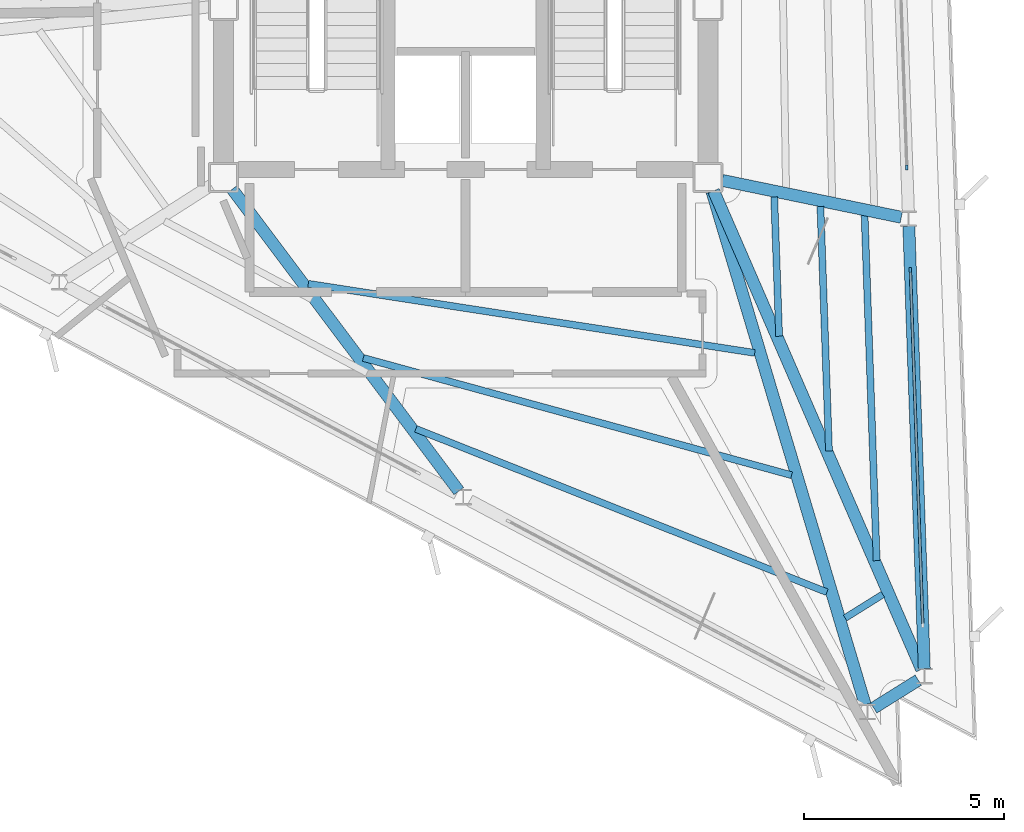
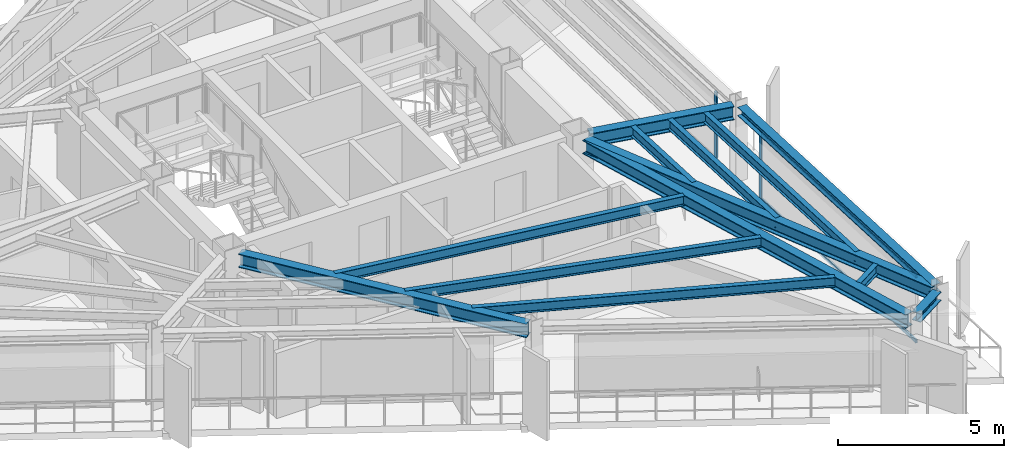
# One storey, part 3 of 13: 13 beams, 4 members, 2 elements without a shape of their own.
"""IFC4 building model written with IfcOpenShell, lengths in metres."""

from ifc_helpers import new_model, si_unit, direction, frame, origin, origin_2d, place, context, subcontext, project, spatial, rectangle, i_section, extrude, material, layer, layer_set, material_profile, profile_set, type_object, element, aggregate, save


model = new_model("IFC4")

# Units and contexts
model_context = context("Model", 3, precision=1e-05, world=origin(), true_north=direction((0.0, 1.0)))
body_context = subcontext(model_context, "Body", "Model", "MODEL_VIEW")
ifc_project = project(units=[si_unit("LENGTHUNIT", "METRE"), si_unit("AREAUNIT", "SQUARE_METRE"), si_unit("VOLUMEUNIT", "CUBIC_METRE"), si_unit("PLANEANGLEUNIT", "RADIAN"), si_unit("MASSUNIT", "GRAM", prefix="KILO")], contexts=[model_context])

# Site, building, storey
site_placement = place(None, origin())
site = spatial("IfcSite", under=ifc_project, at=site_placement, CompositionType="ELEMENT")
building_placement = place(site_placement, origin())
building = spatial("IfcBuilding", under=site, at=building_placement, Name="Rocaltana Carrier Exchange", CompositionType="ELEMENT")
storey_placement = place(building_placement, frame((0.0, 0.0, 196.639892578125)))
storey = spatial("IfcBuildingStorey", under=building, at=storey_placement, Name="L62", CompositionType="ELEMENT", Elevation=196.639892578125)

# Curtain wall, member
ifc_material_1 = material(Name="Aluminium 6063-T6", Category="aluminium")
ifc_layer = layer(ifc_material_1, 0.1201171875)
ifc_layer_set = layer_set([ifc_layer], Name="Aluminium 6063-T6")
curtain_wall_type = type_object("IfcCurtainWallType", Name="High-Altitude Thermal Curtain Wall CW-05", PredefinedType="NOTDEFINED", material=ifc_layer_set)
curtain_wall_1_placement = place(storey_placement, origin())
curtain_wall_1 = element("IfcCurtainWall", 1, at=curtain_wall_1_placement, inside=storey, type_object=curtain_wall_type, Name="L62 CW-05 Run CW-L62-F1S1", PredefinedType="NOTDEFINED")
ifc_material_2 = material(Name="Aluminium 6063-T6", Category="aluminium")
ifc_material_profile_1 = material_profile(ifc_material_2, rectangle(XDim=0.06005859375, YDim=0.1201171875, at=origin_2d()), Name="AL-60X120")
ifc_profile_set_1 = profile_set([ifc_material_profile_1], Name="Aluminium 6063-T6")
member_type_1 = type_object("IfcMemberType", Name="CW-05 Mullion AL-60X120", PredefinedType="MULLION", material=ifc_profile_set_1)
member_1_placement = place(storey_placement, frame((11.11181640625, -6.61279296875, 0.0), z_axis=(0.0, 0.0, 1.0), x_axis=(-0.999390315991, -0.034914127567, 0.0)))
member_1 = element("IfcMember", 2, at=member_1_placement, type_object=member_type_1, Name="CW-05 mullion 2", PredefinedType="MULLION", context=body_context, shape_type="SweptSolid", body=[
    extrude(rectangle(XDim=0.06005859375, YDim=0.1201171875, at=origin_2d()), origin(), (0.0, 0.0, 1.0), 2.447998046875),
])

curtain_wall_2_placement = place(storey_placement, origin())
curtain_wall_2 = element("IfcCurtainWall", 3, at=curtain_wall_2_placement, inside=storey, type_object=curtain_wall_type, Name="L62 CW-05 Run CW-L62-F1S2", PredefinedType="NOTDEFINED")
member_2_placement = place(storey_placement, frame((11.0224609375, -4.054443359375, 0.0), z_axis=(0.0, 0.0, 1.0), x_axis=(-0.999390720156, -0.034902556738, 0.0)))
member_2 = element("IfcMember", 4, at=member_2_placement, type_object=member_type_1, Name="CW-05 mullion 1", PredefinedType="MULLION", context=body_context, shape_type="SweptSolid", body=[
    extrude(rectangle(XDim=0.06005859375, YDim=0.1201171875, at=origin_2d()), origin(), (0.0, 0.0, 1.0), 2.447998046875),
])
aggregate(curtain_wall_2, [member_2])

# Member
ifc_material_3 = material(Name="Aluminium 6063-T6", Category="aluminium")
ifc_material_profile_2 = material_profile(ifc_material_3, rectangle(XDim=0.06005859375, YDim=0.1201171875, at=origin_2d()), Name="AL-60X120")
ifc_profile_set_2 = profile_set([ifc_material_profile_2], Name="Aluminium 6063-T6")
member_type_2 = type_object("IfcMemberType", Name="CW-05 Transom AL-60X120", PredefinedType="USERDEFINED", material=ifc_profile_set_2)
member_3_placement = place(storey_placement, frame((11.420654296875, -15.450927734375, 0.030029296875), z_axis=(-0.034930718371, 0.999389736246, 0.0), x_axis=(-0.999389736246, -0.034930718371, 0.0)))
member_3 = element("IfcMember", 5, at=member_3_placement, type_object=member_type_2, Name="CW-05 transom 1.1", ObjectType="TRANSOM", PredefinedType="USERDEFINED", context=body_context, shape_type="SweptSolid", body=[
    extrude(rectangle(XDim=0.06005859375, YDim=0.1201171875, at=origin_2d()), origin(), (0.0, 0.0, 1.0), 8.8134765625),
])

member_4_placement = place(storey_placement, frame((11.420654296875, -15.450927734375, 2.418212890625), z_axis=(-0.034930718371, 0.999389736246, 0.0), x_axis=(-0.999389736246, -0.034930718371, 0.0)))
member_4 = element("IfcMember", 6, at=member_4_placement, type_object=member_type_2, Name="CW-05 transom 1.2", ObjectType="TRANSOM", PredefinedType="USERDEFINED", context=body_context, shape_type="SweptSolid", body=[
    extrude(rectangle(XDim=0.06005859375, YDim=0.1201171875, at=origin_2d()), origin(), (0.0, 0.0, 1.0), 8.8134765625),
])

aggregate(curtain_wall_1, [member_1, member_3, member_4])

# Beams
ifc_material_4 = material(Name="Steel S355", Category="steel")
ifc_material_profile_3 = material_profile(ifc_material_4, i_section(OverallWidth=0.172119140625, OverallDepth=0.35791015625, WebThickness=0.0078125, FlangeThickness=0.01318359375, FilletRadius=0.011962890625, at=origin_2d()), Name="W14X38")
ifc_profile_set_3 = profile_set([ifc_material_profile_3], Name="Steel S355")
beam_type_1 = type_object("IfcBeamType", Name="Floor Joist W14X38", PredefinedType="JOIST", material=ifc_profile_set_3)
beam_1_placement = place(storey_placement, frame((7.83251953125, -8.267822265625, 2.619140625), z_axis=(-0.034956892031, 0.99938882108, 0.0), x_axis=(-0.99938882108, -0.034956892031, 0.0)))
element("IfcBeam", 7, at=beam_1_placement, inside=storey, type_object=beam_type_1, Name="FJ-L62-01-1", PredefinedType="JOIST", context=body_context, shape_type="SweptSolid", body=[
    extrude(i_section(OverallWidth=0.172119140625, OverallDepth=0.35791015625, WebThickness=0.0078125, FlangeThickness=0.01318359375, FilletRadius=0.011962890625, at=origin_2d()), origin(), (0.0, 0.0, 1.0), 3.485107421875),
])
beam_2_placement = place(storey_placement, frame((9.078125, -11.1337890625, 2.619140625), z_axis=(-0.034895437924, 0.999390968747, 0.0), x_axis=(-0.999390968747, -0.034895437924, 0.0)))
element("IfcBeam", 8, at=beam_2_placement, inside=storey, type_object=beam_type_1, Name="FJ-L62-01-2", PredefinedType="JOIST", context=body_context, shape_type="SweptSolid", body=[
    extrude(i_section(OverallWidth=0.172119140625, OverallDepth=0.35791015625, WebThickness=0.0078125, FlangeThickness=0.01318359375, FilletRadius=0.011962890625, at=origin_2d()), origin(), (0.0, 0.0, 1.0), 6.11474609375),
])
beam_3_placement = place(storey_placement, frame((10.269775390625, -13.875, 2.619140625), z_axis=(-0.034909498386, 0.999390477703, 0.0), x_axis=(-0.999390477703, -0.034909498386, 0.0)))
element("IfcBeam", 9, at=beam_3_placement, inside=storey, type_object=beam_type_1, Name="FJ-L62-01-3", PredefinedType="JOIST", context=body_context, shape_type="SweptSolid", body=[
    extrude(i_section(OverallWidth=0.172119140625, OverallDepth=0.35791015625, WebThickness=0.0078125, FlangeThickness=0.01318359375, FilletRadius=0.011962890625, at=origin_2d()), origin(), (0.0, 0.0, 1.0), 8.630126953125),
])
beam_4_placement = place(storey_placement, frame((-3.93017578125, -6.957275390625, 2.619140625), z_axis=(0.98822318651, -0.153019389764, 0.0), x_axis=(0.153019389764, 0.98822318651, 0.0)))
element("IfcBeam", 10, at=beam_4_placement, inside=storey, type_object=beam_type_1, Name="FJ-L62-11-1", PredefinedType="JOIST", context=body_context, shape_type="SweptSolid", body=[
    extrude(i_section(OverallWidth=0.172119140625, OverallDepth=0.35791015625, WebThickness=0.0078125, FlangeThickness=0.01318359375, FilletRadius=0.011962890625, at=origin_2d()), origin(), (0.0, 0.0, 1.0), 11.286376953125),
])
beam_5_placement = place(storey_placement, frame((-2.555419921875, -8.809814453125, 2.619140625), z_axis=(0.96449669157, -0.264094929808, 0.0), x_axis=(0.264094929808, 0.96449669157, 0.0)))
element("IfcBeam", 11, at=beam_5_placement, inside=storey, type_object=beam_type_1, Name="FJ-L62-11-2", PredefinedType="JOIST", context=body_context, shape_type="SweptSolid", body=[
    extrude(i_section(OverallWidth=0.172119140625, OverallDepth=0.35791015625, WebThickness=0.0078125, FlangeThickness=0.01318359375, FilletRadius=0.011962890625, at=origin_2d()), origin(), (0.0, 0.0, 1.0), 11.09326171875),
])
beam_6_placement = place(storey_placement, frame((-1.2421875, -10.581787109375, 2.619140625), z_axis=(0.929319992712, -0.369275440756, 0.0), x_axis=(0.369275440756, 0.929319992712, 0.0)))
element("IfcBeam", 12, at=beam_6_placement, inside=storey, type_object=beam_type_1, Name="FJ-L62-11-3", PredefinedType="JOIST", context=body_context, shape_type="SweptSolid", body=[
    extrude(i_section(OverallWidth=0.172119140625, OverallDepth=0.35791015625, WebThickness=0.0078125, FlangeThickness=0.01318359375, FilletRadius=0.011962890625, at=origin_2d()), origin(), (0.0, 0.0, 1.0), 11.049560546875),
])
beam_7_placement = place(storey_placement, frame((9.481689453125, -15.306640625, 2.619140625), z_axis=(0.847961248571, 0.530058224087, 0.0), x_axis=(-0.530058224087, 0.847961248571, 0.0)))
element("IfcBeam", 13, at=beam_7_placement, inside=storey, type_object=beam_type_1, Name="FJ-L62-12-3", PredefinedType="JOIST", context=body_context, shape_type="SweptSolid", body=[
    extrude(i_section(OverallWidth=0.172119140625, OverallDepth=0.35791015625, WebThickness=0.0078125, FlangeThickness=0.01318359375, FilletRadius=0.011962890625, at=origin_2d()), origin(), (0.0, 0.0, 1.0), 1.110595703125),
])
ifc_material_5 = material(Name="Steel S355", Category="steel")
ifc_material_profile_4 = material_profile(ifc_material_5, i_section(OverallWidth=0.300048828125, OverallDepth=0.320068359375, WebThickness=0.011474609375, FlangeThickness=0.0205078125, FilletRadius=0.027099609375, at=origin_2d()), Name="HEB320")
ifc_profile_set_4 = profile_set([ifc_material_profile_4], Name="Steel S355")
beam_type_2 = type_object("IfcBeamType", Name="Spandrel Edge Beam HEB320", PredefinedType="SPANDREL", material=ifc_profile_set_4)
beam_8_placement = place(storey_placement, frame((11.459716796875, -16.57470703125, 2.63818359375), z_axis=(-0.034891734961, 0.999391098035, 0.0), x_axis=(-0.999391098035, -0.034891734961, 0.0)))
element("IfcBeam", 14, at=beam_8_placement, inside=storey, type_object=beam_type_2, Name="SP-L62-01", PredefinedType="SPANDREL", context=body_context, shape_type="SweptSolid", body=[
    extrude(i_section(OverallWidth=0.300048828125, OverallDepth=0.320068359375, WebThickness=0.011474609375, FlangeThickness=0.0205078125, FilletRadius=0.027099609375, at=origin_2d()), origin(), (0.0, 0.0, 1.0), 11.0625),
])
beam_9_placement = place(storey_placement, frame((10.194580078125, -17.5546875, 2.63818359375), z_axis=(0.848092225117, 0.52984863659, 0.0), x_axis=(-0.52984863659, 0.848092225117, 0.0)))
element("IfcBeam", 15, at=beam_9_placement, inside=storey, type_object=beam_type_2, Name="SP-L62-12", PredefinedType="SPANDREL", context=body_context, shape_type="SweptSolid", body=[
    extrude(i_section(OverallWidth=0.300048828125, OverallDepth=0.320068359375, WebThickness=0.011474609375, FlangeThickness=0.0205078125, FilletRadius=0.027099609375, at=origin_2d()), origin(), (0.0, 0.0, 1.0), 1.314208984375),
])
ifc_material_6 = material(Name="Steel S355", Category="steel")
ifc_material_profile_5 = material_profile(ifc_material_6, i_section(OverallWidth=0.300048828125, OverallDepth=0.5, WebThickness=0.014404296875, FlangeThickness=0.028076171875, FilletRadius=0.027099609375, at=origin_2d()), Name="HEB500")
ifc_profile_set_5 = profile_set([ifc_material_profile_5], Name="Steel S355")
beam_type_3 = type_object("IfcBeamType", Name="Upper Radial Girder HEB500", PredefinedType="BEAM", material=ifc_profile_set_5)
beam_10_placement = place(storey_placement, frame((6.1962890625, -4.63671875, 2.548095703125), z_axis=(0.398663781155, -0.917097153848, 0.0), x_axis=(0.917097153848, 0.398663781155, 0.0)))
element("IfcBeam", 16, at=beam_10_placement, inside=storey, type_object=beam_type_3, Name="RG-L62-01", PredefinedType="BEAM", context=body_context, shape_type="SweptSolid", body=[
    extrude(i_section(OverallWidth=0.300048828125, OverallDepth=0.5, WebThickness=0.014404296875, FlangeThickness=0.028076171875, FilletRadius=0.027099609375, at=origin_2d()), origin(), (0.0, 0.0, 1.0), 13.03369140625),
])
beam_11_placement = place(storey_placement, frame((6.409423828125, -4.3740234375, 2.548095703125), z_axis=(0.979421650588, -0.201824751605, 0.0), x_axis=(0.201824751605, 0.979421650588, 0.0)))
element("IfcBeam", 17, at=beam_11_placement, inside=storey, type_object=beam_type_3, Name="RG-L62-02", PredefinedType="BEAM", context=body_context, shape_type="SweptSolid", body=[
    extrude(i_section(OverallWidth=0.300048828125, OverallDepth=0.5, WebThickness=0.014404296875, FlangeThickness=0.028076171875, FilletRadius=0.027099609375, at=origin_2d()), origin(), (0.0, 0.0, 1.0), 4.570068359375),
])
beam_12_placement = place(storey_placement, frame((-5.82958984375, -4.593505859375, 2.548095703125), z_axis=(0.600207072823, -0.799844653501, 0.0), x_axis=(0.799844653501, 0.600207072823, 0.0)))
element("IfcBeam", 18, at=beam_12_placement, inside=storey, type_object=beam_type_3, Name="RG-L62-11", PredefinedType="BEAM", context=body_context, shape_type="SweptSolid", body=[
    extrude(i_section(OverallWidth=0.300048828125, OverallDepth=0.5, WebThickness=0.014404296875, FlangeThickness=0.028076171875, FilletRadius=0.027099609375, at=origin_2d()), origin(), (0.0, 0.0, 1.0), 9.43115234375),
])
beam_13_placement = place(storey_placement, frame((6.155029296875, -4.651611328125, 2.548095703125), z_axis=(0.286134274896, -0.958189530693, 0.0), x_axis=(0.958189530693, 0.286134274896, 0.0)))
element("IfcBeam", 19, at=beam_13_placement, inside=storey, type_object=beam_type_3, Name="RG-L62-12", PredefinedType="BEAM", context=body_context, shape_type="SweptSolid", body=[
    extrude(i_section(OverallWidth=0.300048828125, OverallDepth=0.5, WebThickness=0.014404296875, FlangeThickness=0.028076171875, FilletRadius=0.027099609375, at=origin_2d()), origin(), (0.0, 0.0, 1.0), 13.383056640625),
])

save(model, "model.ifc")
